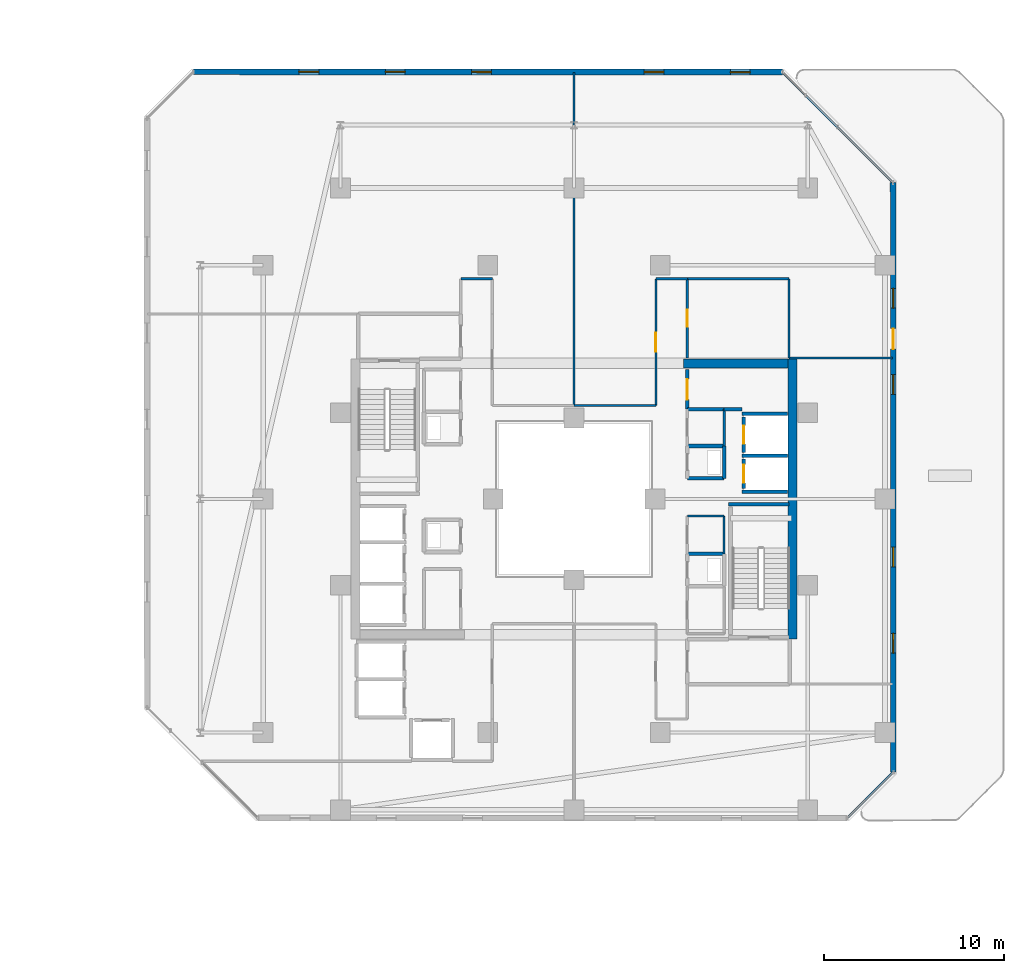
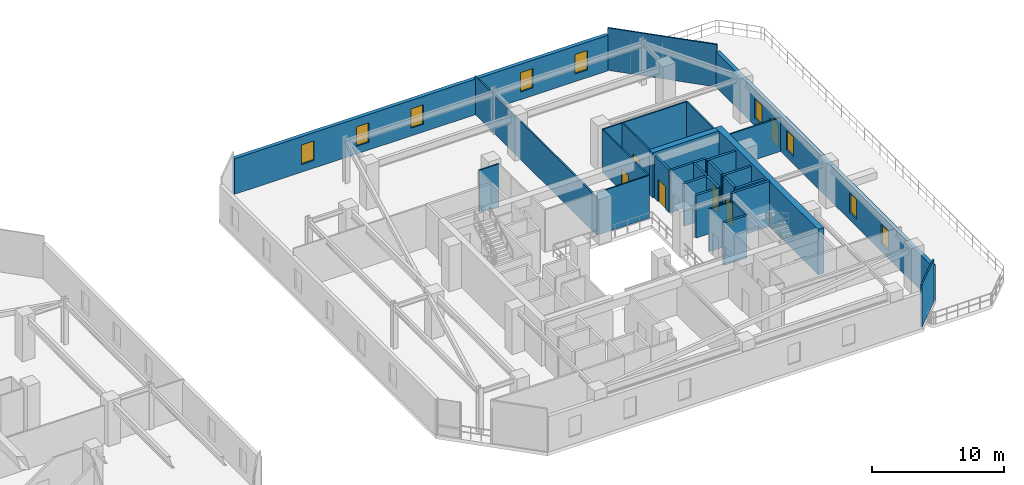
# One storey, part 26 of 33: 31 walls, 9 windows, 6 doors, 15 openings.
"""IFC4 building model written with IfcOpenShell, lengths in metres."""

from ifc_helpers import new_model, si_unit, direction, frame, frame_2d, origin, place, context, subcontext, project, spatial, rectangle, extrude, material, layer, layer_set, type_object, element, fill, save


model = new_model("IFC4")

# Units and contexts
model_context = context("Model", 3, precision=1e-05, world=origin(), true_north=direction((0.0, 1.0)))
body_context = subcontext(model_context, "Body", "Model", "MODEL_VIEW")
ifc_project = project(units=[si_unit("LENGTHUNIT", "METRE"), si_unit("AREAUNIT", "SQUARE_METRE"), si_unit("VOLUMEUNIT", "CUBIC_METRE"), si_unit("PLANEANGLEUNIT", "RADIAN"), si_unit("MASSUNIT", "GRAM", prefix="KILO")], contexts=[model_context])

# Site, building, storey
site_placement = place(None, origin())
site = spatial("IfcSite", under=ifc_project, at=site_placement, CompositionType="ELEMENT")
building_placement = place(site_placement, origin())
building = spatial("IfcBuilding", under=site, at=building_placement, Name="Thornwick Lancets Civic Towers", CompositionType="ELEMENT")
storey_placement = place(building_placement, frame((0.0, 0.0, 174.300048828125)))
storey = spatial("IfcBuildingStorey", under=building, at=storey_placement, Name="L46", CompositionType="ELEMENT", Elevation=174.300048828125)

# Wall, opening, door
ifc_material_1 = material(Name="Concrete blockwork C40/50", Category="masonry")
ifc_layer_1 = layer(ifc_material_1, 0.199951171875, Name="Concrete blockwork C40/50")
ifc_layer_set_1 = layer_set([ifc_layer_1], Name="Concrete blockwork C40/50")
wall_type_1 = type_object("IfcWallType", Name="WALL_COMP_200", PredefinedType="STANDARD", material=ifc_layer_set_1)
wall_1_placement = place(storey_placement, frame((97.949951171875, 29.219970703125, 0.0), z_axis=(0.0, 0.0, 1.0), x_axis=(0.0, -1.0, 0.0)))
wall_1 = element("IfcWall", 1, at=wall_1_placement, inside=storey, type_object=wall_type_1, Name="L46 Hoistway Front Wall FL-B1", PredefinedType="STANDARD", context=body_context, shape_type="SweptSolid", body=[
    extrude(rectangle(XDim=1.639892578125, YDim=0.199951171875, at=frame_2d((0.81982421875, 0.0))), origin(), (0.0, 0.0, 1.0), 3.93994140625),
])
opening_1_placement = place(wall_1_placement, frame((0.31005859375, 0.0, 0.0)))
opening_1 = element("IfcOpeningElement", 2, at=opening_1_placement, cuts=wall_1, Name="Opening LD-FL-B1", PredefinedType="OPENING", context=body_context, shape_type="SweptSolid", body=[
    extrude(rectangle(XDim=1.02001953125, YDim=2.06005859375, at=frame_2d((0.510009765625, 1.030029296875))), frame((0.0, 0.10986328125, 0.0), z_axis=(0.0, -1.0, 0.0), x_axis=(1.0, 0.0, 0.0)), (0.0, 0.0, 1.0), 0.219970703125),
])
ifc_material_2 = material(Name="Brushed bronze stainless steel", Category="steel")
door_type_1 = type_object("IfcDoorType", Name="DOOR_LIFT_SLIDE", OperationType="SLIDING_TO_LEFT", PredefinedType="DOOR", material=ifc_material_2)
door_1_placement = place(opening_1_placement, origin())
door_1 = element("IfcDoor", 3, at=door_1_placement, inside=storey, type_object=door_type_1, Name="L46 Sliding Lift Landing Door LD-FL-B1", OperationType="SLIDING_TO_LEFT", OverallHeight=2.06005859375, OverallWidth=1.02001953125, PredefinedType="DOOR", context=body_context, shape_type="SweptSolid", body=[
    extrude(rectangle(XDim=1.02001953125, YDim=2.06005859375, at=frame_2d((0.510009765625, 1.030029296875))), frame((0.0, 0.02490234375, 0.0), z_axis=(0.0, -1.0, 0.0), x_axis=(1.0, 0.0, 0.0)), (0.0, 0.0, 1.0), 0.050048828125),
])
fill(opening_1, door_1)

wall_2_placement = place(storey_placement, frame((97.949951171875, 31.570068359375, 0.0), z_axis=(0.0, 0.0, 1.0), x_axis=(0.0, -1.0, 0.0)))
wall_2 = element("IfcWall", 4, at=wall_2_placement, inside=storey, type_object=wall_type_1, Name="L46 Hoistway Front Wall PL-BH1", PredefinedType="STANDARD", context=body_context, shape_type="SweptSolid", body=[
    extrude(rectangle(XDim=1.989990234375, YDim=0.199951171875, at=frame_2d((0.9951171875, 0.0))), origin(), (0.0, 0.0, 1.0), 3.93994140625),
])
opening_2_placement = place(wall_2_placement, frame((0.485107421875, 0.0, 0.0)))
opening_2 = element("IfcOpeningElement", 5, at=opening_2_placement, cuts=wall_2, Name="Opening LD-PL-BH1", PredefinedType="OPENING", context=body_context, shape_type="SweptSolid", body=[
    extrude(rectangle(XDim=1.02001953125, YDim=2.06005859375, at=frame_2d((0.510009765625, 1.030029296875))), frame((0.0, 0.10986328125, 0.0), z_axis=(0.0, -1.0, 0.0), x_axis=(1.0, 0.0, 0.0)), (0.0, 0.0, 1.0), 0.219970703125),
])
door_2_placement = place(opening_2_placement, origin())
door_2 = element("IfcDoor", 6, at=door_2_placement, inside=storey, type_object=door_type_1, Name="L46 Sliding Lift Landing Door LD-PL-BH1", OperationType="SLIDING_TO_LEFT", OverallHeight=2.06005859375, OverallWidth=1.02001953125, PredefinedType="DOOR", context=body_context, shape_type="SweptSolid", body=[
    extrude(rectangle(XDim=1.02001953125, YDim=2.06005859375, at=frame_2d((0.510009765625, 1.030029296875))), frame((0.0, 0.02490234375, 0.0), z_axis=(0.0, -1.0, 0.0), x_axis=(1.0, 0.0, 0.0)), (0.0, 0.0, 1.0), 0.050048828125),
])
fill(opening_2, door_2)

# Walls
for number, where, z_axis, x_axis, name in (
    (7, (97.85205078125, 29.39990234375, 0.0), (0.0, 0.0, 1.0), (1.0, 0.0, 0.0), "L46 Hoistway Shaft Wall FL-B1 N"),
    (8, (97.85205078125, 27.39990234375, 0.0), (0.0, 0.0, 1.0), (1.0, 0.0, 0.0), "L46 Hoistway Shaft Wall FL-B1 S"),
    (9, (97.85205078125, 31.75, 0.0), (0.0, 0.0, 1.0), (1.0, 0.0, 0.0), "L46 Hoistway Shaft Wall PL-BH1 N"),
):
    element("IfcWall", number, at=place(storey_placement, frame(where, z_axis=z_axis, x_axis=x_axis)), inside=storey, type_object=wall_type_1, Name=name, PredefinedType="STANDARD", context=body_context, shape_type="SweptSolid", body=[
        extrude(rectangle(XDim=2.535888671875, YDim=0.199951171875, at=frame_2d((1.26806640625, 0.0))), origin(), (0.0, 0.0, 1.0), 3.93994140625),
    ])
wall_3_placement = place(storey_placement, frame((94.800048828125, 28.14990234375, 0.0), z_axis=(0.0, 0.0, 1.0), x_axis=(1.0, 0.0, 0.0)))
element("IfcWall", 10, at=wall_3_placement, inside=storey, type_object=wall_type_1, Name="L46 Partition L46-B-DUCT1 E1", PredefinedType="STANDARD", context=body_context, shape_type="SweptSolid", body=[
    extrude(rectangle(XDim=2.050048828125, YDim=0.199951171875, at=frame_2d((1.02490234375, 0.0))), origin(), (0.0, 0.0, 1.0), 3.93994140625),
])
wall_4_placement = place(storey_placement, frame((96.85009765625, 28.14990234375, 0.0), z_axis=(0.0, 0.0, 1.0), x_axis=(0.0, 1.0, 0.0)))
element("IfcWall", 11, at=wall_4_placement, inside=storey, type_object=wall_type_1, Name="L46 Partition L46-B-DUCT1 E2", PredefinedType="STANDARD", context=body_context, shape_type="SweptSolid", body=[
    extrude(rectangle(XDim=1.800048828125, YDim=0.199951171875, at=frame_2d((0.89990234375, 0.0))), origin(), (0.0, 0.0, 1.0), 3.93994140625),
])
for number, where, z_axis, x_axis, name in (
    (12, (96.85009765625, 29.949951171875, 0.0), (0.0, 0.0, 1.0), (-1.0, 0.0, 0.0), "L46 Partition L46-B-DUCT1 E3"),
    (13, (96.85009765625, 23.949951171875, 0.0), (0.0, 0.0, 1.0), (-1.0, 0.0, 0.0), "L46 Partition L46-B-RISER1 E3"),
):
    element("IfcWall", number, at=place(storey_placement, frame(where, z_axis=z_axis, x_axis=x_axis)), inside=storey, type_object=wall_type_1, Name=name, PredefinedType="STANDARD", context=body_context, shape_type="SweptSolid", body=[
        extrude(rectangle(XDim=2.050048828125, YDim=0.199951171875, at=frame_2d((1.02490234375, 0.0))), origin(), (0.0, 0.0, 1.0), 3.93994140625),
    ])

# Wall, opening, door
wall_5_placement = place(storey_placement, frame((94.800048828125, 32.0, 0.0), z_axis=(0.0, 0.0, 1.0), x_axis=(0.0, 1.0, 0.0)))
wall_5 = element("IfcWall", 14, at=wall_5_placement, inside=storey, type_object=wall_type_1, Name="L46 Partition L46-B-STR2 E1", PredefinedType="STANDARD", context=body_context, shape_type="SweptSolid", body=[
    extrude(rectangle(XDim=2.199951171875, YDim=0.199951171875, at=frame_2d((1.10009765625, 0.0))), origin(), (0.0, 0.0, 1.0), 3.93994140625),
])
opening_3_placement = place(wall_5_placement, frame((0.52490234375, 0.0, 0.0)))
opening_3 = element("IfcOpeningElement", 15, at=opening_3_placement, cuts=wall_5, Name="Opening D-L46-2070", PredefinedType="OPENING", context=body_context, shape_type="SweptSolid", body=[
    extrude(rectangle(XDim=1.14990234375, YDim=2.10009765625, at=frame_2d((0.574951171875, 1.050048828125))), frame((0.0, 0.10986328125, 0.0), z_axis=(0.0, -1.0, 0.0), x_axis=(1.0, 0.0, 0.0)), (0.0, 0.0, 1.0), 0.219970703125),
])
ifc_material_3 = material(Name="Glazed fire-resisting steel", Category="steel")
door_type_2 = type_object("IfcDoorType", Name="DOOR_LOBBY_FD60", OperationType="NOTDEFINED", PredefinedType="DOOR", material=ifc_material_3)
door_3_placement = place(opening_3_placement, origin())
door_3 = element("IfcDoor", 16, at=door_3_placement, inside=storey, type_object=door_type_2, Name="L46 Tower B Core Supplies Store Door", OperationType="SINGLE_SWING_LEFT", OverallHeight=2.10009765625, OverallWidth=1.14990234375, PredefinedType="DOOR", context=body_context, shape_type="SweptSolid", body=[
    extrude(rectangle(XDim=1.14990234375, YDim=2.10009765625, at=frame_2d((0.574951171875, 1.050048828125))), frame((0.0, 0.02490234375, 0.0), z_axis=(0.0, -1.0, 0.0), x_axis=(1.0, 0.0, 0.0)), (0.0, 0.0, 1.0), 0.050048828125),
])
fill(opening_3, door_3)

# Walls
wall_6_placement = place(storey_placement, frame((97.85205078125, 32.0, 0.0), z_axis=(0.0, 0.0, 1.0), x_axis=(-1.0, 0.0, 0.0)))
element("IfcWall", 17, at=wall_6_placement, inside=storey, type_object=wall_type_1, Name="L46 Partition L46-B-STR2 E4", PredefinedType="STANDARD", context=body_context, shape_type="SweptSolid", body=[
    extrude(rectangle(XDim=1.001953125, YDim=0.199951171875, at=frame_2d((0.5009765625, 0.0))), origin(), (0.0, 0.0, 1.0), 3.93994140625),
])
wall_7_placement = place(storey_placement, frame((96.85009765625, 32.0, 0.0), z_axis=(0.0, 0.0, 1.0), x_axis=(-1.0, 0.0, 0.0)))
element("IfcWall", 18, at=wall_7_placement, inside=storey, type_object=wall_type_1, Name="L46 Partition L46-B-STR2 E5", PredefinedType="STANDARD", context=body_context, shape_type="SweptSolid", body=[
    extrude(rectangle(XDim=2.050048828125, YDim=0.199951171875, at=frame_2d((1.02490234375, 0.0))), origin(), (0.0, 0.0, 1.0), 3.93994140625),
])
ifc_material_4 = material(Name="Concrete C50/60", Category="concrete")
ifc_layer_2 = layer(ifc_material_4, 0.5, Name="Concrete C50/60")
ifc_layer_set_2 = layer_set([ifc_layer_2], Name="Concrete C50/60")
wall_type_2 = type_object("IfcWallType", Name="WALL_CORE_500", PredefinedType="SHEAR", material=ifc_layer_set_2)
wall_8_placement = place(storey_placement, frame((100.64990234375, 19.199951171875, 0.0), z_axis=(0.0, 0.0, 1.0), x_axis=(0.0, 1.0, 0.0)))
element("IfcWall", 19, at=wall_8_placement, inside=storey, type_object=wall_type_2, Name="L46 Split Core B1 Shear Wall E", PredefinedType="SHEAR", context=body_context, shape_type="SweptSolid", body=[
    extrude(rectangle(XDim=15.60009765625, YDim=0.5, at=frame_2d((7.800048828125, 0.0))), origin(), (0.0, 0.0, 1.0), 4.199951171875),
])
wall_9_placement = place(storey_placement, frame((94.60009765625, 34.550048828125, 0.0), z_axis=(0.0, 0.0, 1.0), x_axis=(1.0, 0.0, 0.0)))
element("IfcWall", 20, at=wall_9_placement, inside=storey, type_object=wall_type_2, Name="L46 Split Core B1 Shear Wall N", PredefinedType="SHEAR", context=body_context, shape_type="SweptSolid", body=[
    extrude(rectangle(XDim=5.7998046875, YDim=0.5, at=frame_2d((2.89990234375, 0.0))), origin(), (0.0, 0.0, 1.0), 4.199951171875),
])

# Wall, openings, door, windows
ifc_material_5 = material(Name="Insulated buff terracotta rainscreen on concrete C40/50", Category="masonry")
ifc_layer_3 = layer(ifc_material_5, 0.320068359375, Name="Insulated buff terracotta rainscreen on concrete C40/50")
ifc_layer_set_3 = layer_set([ifc_layer_3], Name="Insulated buff terracotta rainscreen on concrete C40/50")
wall_type_3 = type_object("IfcWallType", Name="WALL_EXT_TERRA_320", PredefinedType="STANDARD", material=ifc_layer_set_3)
wall_10_placement = place(storey_placement, frame((106.2646484375, 11.818603515625, 0.0), z_axis=(0.0, 0.0, 1.0), x_axis=(-0.000364968916, 0.999999933399, 0.0)))
wall_10 = element("IfcWall", 21, at=wall_10_placement, inside=storey, type_object=wall_type_3, Name="L46 Tower B Terracotta Facade Wall E2", PredefinedType="STANDARD", context=body_context, shape_type="SweptSolid", body=[
    extrude(rectangle(XDim=32.77783203125, YDim=0.320068359375, at=frame_2d((16.388916015625, 0.0))), origin(), (0.0, 0.0, 1.0), 3.300048828125),
])
opening_4_placement = place(wall_10_placement, frame((23.513916015625, 0.0, 0.0)))
opening_4 = element("IfcOpeningElement", 22, at=opening_4_placement, cuts=wall_10, Name="Opening D-SG-L46-B2", PredefinedType="OPENING", context=body_context, shape_type="SweptSolid", body=[
    extrude(rectangle(XDim=1.14990234375, YDim=2.10009765625, at=frame_2d((0.574951171875, 1.050048828125))), frame((0.0, 0.169921875, 0.0), z_axis=(0.0, -1.0, 0.0), x_axis=(1.0, 0.0, 0.0)), (0.0, 0.0, 1.0), 0.340087890625),
])
opening_5_placement = place(wall_10_placement, frame((6.60009765625, 0.0, 0.719970703125)))
opening_5 = element("IfcOpeningElement", 23, at=opening_5_placement, cuts=wall_10, Name="Opening WL-02", PredefinedType="OPENING", context=body_context, shape_type="SweptSolid", body=[
    extrude(rectangle(XDim=1.10009765625, YDim=1.800048828125, at=frame_2d((0.550048828125, 0.89990234375))), frame((0.0, 0.169921875, 0.0), z_axis=(0.0, -1.0, 0.0), x_axis=(1.0, 0.0, 0.0)), (0.0, 0.0, 1.0), 0.340087890625),
])
opening_6_placement = place(wall_10_placement, frame((11.39990234375, 0.0, 0.719970703125)))
opening_6 = element("IfcOpeningElement", 24, at=opening_6_placement, cuts=wall_10, Name="Opening WL-02", PredefinedType="OPENING", context=body_context, shape_type="SweptSolid", body=[
    extrude(rectangle(XDim=1.10009765625, YDim=1.800048828125, at=frame_2d((0.550048828125, 0.89990234375))), frame((0.0, 0.169921875, 0.0), z_axis=(0.0, -1.0, 0.0), x_axis=(1.0, 0.0, 0.0)), (0.0, 0.0, 1.0), 0.340087890625),
])
opening_7_placement = place(wall_10_placement, frame((21.0, 0.0, 0.719970703125)))
opening_7 = element("IfcOpeningElement", 25, at=opening_7_placement, cuts=wall_10, Name="Opening WL-02", PredefinedType="OPENING", context=body_context, shape_type="SweptSolid", body=[
    extrude(rectangle(XDim=1.10009765625, YDim=1.800048828125, at=frame_2d((0.550048828125, 0.89990234375))), frame((0.0, 0.169921875, 0.0), z_axis=(0.0, -1.0, 0.0), x_axis=(1.0, 0.0, 0.0)), (0.0, 0.0, 1.0), 0.340087890625),
])
opening_8_placement = place(wall_10_placement, frame((25.800048828125, 0.0, 0.719970703125)))
opening_8 = element("IfcOpeningElement", 26, at=opening_8_placement, cuts=wall_10, Name="Opening WL-02", PredefinedType="OPENING", context=body_context, shape_type="SweptSolid", body=[
    extrude(rectangle(XDim=1.10009765625, YDim=1.800048828125, at=frame_2d((0.550048828125, 0.89990234375))), frame((0.0, 0.169921875, 0.0), z_axis=(0.0, -1.0, 0.0), x_axis=(1.0, 0.0, 0.0)), (0.0, 0.0, 1.0), 0.340087890625),
])
ifc_material_6 = material(Name="Thermally broken glazed terrace doorset")
door_type_3 = type_object("IfcDoorType", Name="DOOR_TERRACE_1200", OperationType="NOTDEFINED", PredefinedType="DOOR", material=ifc_material_6)
door_4_placement = place(opening_4_placement, origin())
door_4 = element("IfcDoor", 27, at=door_4_placement, inside=storey, type_object=door_type_3, Name="L46 Tower B Sky-Garden Terrace Door", OperationType="SINGLE_SWING_RIGHT", OverallHeight=2.10009765625, OverallWidth=1.14990234375, PredefinedType="DOOR", context=body_context, shape_type="SweptSolid", body=[
    extrude(rectangle(XDim=1.14990234375, YDim=2.10009765625, at=frame_2d((0.574951171875, 1.050048828125))), frame((0.0, 0.02490234375, 0.0), z_axis=(0.0, -1.0, 0.0), x_axis=(1.0, 0.0, 0.0)), (0.0, 0.0, 1.0), 0.050048828125),
])
fill(opening_4, door_4)
ifc_material_7 = material(Name="Clear low-e double glazing in bronze frame", Category="glass")
window_type = type_object("IfcWindowType", Name="WIN_LANCET_1100", PartitioningType="SINGLE_PANEL", PredefinedType="WINDOW", material=ifc_material_7)
window_1_placement = place(opening_5_placement, origin())
window_1 = element("IfcWindow", 28, at=window_1_placement, inside=storey, type_object=window_type, Name="L46 Tower B Staggered Lancet Window E2-1", OverallHeight=1.800048828125, OverallWidth=1.10009765625, PartitioningType="SINGLE_PANEL", PredefinedType="WINDOW", context=body_context, shape_type="SweptSolid", body=[
    extrude(rectangle(XDim=1.10009765625, YDim=1.800048828125, at=frame_2d((0.550048828125, 0.89990234375))), frame((0.0, 0.030029296875, 0.0), z_axis=(0.0, -1.0, 0.0), x_axis=(1.0, 0.0, 0.0)), (0.0, 0.0, 1.0), 0.06005859375),
])
fill(opening_5, window_1)
window_2_placement = place(opening_6_placement, origin())
window_2 = element("IfcWindow", 29, at=window_2_placement, inside=storey, type_object=window_type, Name="L46 Tower B Staggered Lancet Window E2-2", OverallHeight=1.800048828125, OverallWidth=1.10009765625, PartitioningType="SINGLE_PANEL", PredefinedType="WINDOW", context=body_context, shape_type="SweptSolid", body=[
    extrude(rectangle(XDim=1.10009765625, YDim=1.800048828125, at=frame_2d((0.550048828125, 0.89990234375))), frame((0.0, 0.030029296875, 0.0), z_axis=(0.0, -1.0, 0.0), x_axis=(1.0, 0.0, 0.0)), (0.0, 0.0, 1.0), 0.06005859375),
])
fill(opening_6, window_2)
window_3_placement = place(opening_7_placement, origin())
window_3 = element("IfcWindow", 30, at=window_3_placement, inside=storey, type_object=window_type, Name="L46 Tower B Staggered Lancet Window E2-3", OverallHeight=1.800048828125, OverallWidth=1.10009765625, PartitioningType="SINGLE_PANEL", PredefinedType="WINDOW", context=body_context, shape_type="SweptSolid", body=[
    extrude(rectangle(XDim=1.10009765625, YDim=1.800048828125, at=frame_2d((0.550048828125, 0.89990234375))), frame((0.0, 0.030029296875, 0.0), z_axis=(0.0, -1.0, 0.0), x_axis=(1.0, 0.0, 0.0)), (0.0, 0.0, 1.0), 0.06005859375),
])
fill(opening_7, window_3)
window_4_placement = place(opening_8_placement, origin())
window_4 = element("IfcWindow", 31, at=window_4_placement, inside=storey, type_object=window_type, Name="L46 Tower B Staggered Lancet Window E2-4", OverallHeight=1.800048828125, OverallWidth=1.10009765625, PartitioningType="SINGLE_PANEL", PredefinedType="WINDOW", context=body_context, shape_type="SweptSolid", body=[
    extrude(rectangle(XDim=1.10009765625, YDim=1.800048828125, at=frame_2d((0.550048828125, 0.89990234375))), frame((0.0, 0.030029296875, 0.0), z_axis=(0.0, -1.0, 0.0), x_axis=(1.0, 0.0, 0.0)), (0.0, 0.0, 1.0), 0.06005859375),
])
fill(opening_8, window_4)

# Wall, openings, windows
wall_11_placement = place(storey_placement, frame((100.096435546875, 50.752685546875, 0.0), z_axis=(0.0, 0.0, 1.0), x_axis=(-0.999999933399, 0.000364968916, 0.0)))
wall_11 = element("IfcWall", 32, at=wall_11_placement, inside=storey, type_object=wall_type_3, Name="L46 Tower B Terracotta Facade Wall E4", PredefinedType="STANDARD", context=body_context, shape_type="SweptSolid", body=[
    extrude(rectangle(XDim=32.77783203125, YDim=0.320068359375, at=frame_2d((16.388916015625, 0.0))), origin(), (0.0, 0.0, 1.0), 3.300048828125),
])
opening_9_placement = place(wall_11_placement, frame((1.800048828125, 0.0, 0.719970703125)))
opening_9 = element("IfcOpeningElement", 33, at=opening_9_placement, cuts=wall_11, Name="Opening WL-02", PredefinedType="OPENING", context=body_context, shape_type="SweptSolid", body=[
    extrude(rectangle(XDim=1.10009765625, YDim=1.800048828125, at=frame_2d((0.550048828125, 0.89990234375))), frame((0.0, 0.169921875, 0.0), z_axis=(0.0, -1.0, 0.0), x_axis=(1.0, 0.0, 0.0)), (0.0, 0.0, 1.0), 0.340087890625),
])
opening_10_placement = place(wall_11_placement, frame((6.60009765625, 0.0, 0.719970703125)))
opening_10 = element("IfcOpeningElement", 34, at=opening_10_placement, cuts=wall_11, Name="Opening WL-02", PredefinedType="OPENING", context=body_context, shape_type="SweptSolid", body=[
    extrude(rectangle(XDim=1.10009765625, YDim=1.800048828125, at=frame_2d((0.550048828125, 0.89990234375))), frame((0.0, 0.169921875, 0.0), z_axis=(0.0, -1.0, 0.0), x_axis=(1.0, 0.0, 0.0)), (0.0, 0.0, 1.0), 0.340087890625),
])
opening_11_placement = place(wall_11_placement, frame((16.199951171875, 0.0, 0.719970703125)))
opening_11 = element("IfcOpeningElement", 35, at=opening_11_placement, cuts=wall_11, Name="Opening WL-02", PredefinedType="OPENING", context=body_context, shape_type="SweptSolid", body=[
    extrude(rectangle(XDim=1.10009765625, YDim=1.800048828125, at=frame_2d((0.550048828125, 0.89990234375))), frame((0.0, 0.169921875, 0.0), z_axis=(0.0, -1.0, 0.0), x_axis=(1.0, 0.0, 0.0)), (0.0, 0.0, 1.0), 0.340087890625),
])
opening_12_placement = place(wall_11_placement, frame((21.0, 0.0, 0.719970703125)))
opening_12 = element("IfcOpeningElement", 36, at=opening_12_placement, cuts=wall_11, Name="Opening WL-02", PredefinedType="OPENING", context=body_context, shape_type="SweptSolid", body=[
    extrude(rectangle(XDim=1.10009765625, YDim=1.800048828125, at=frame_2d((0.550048828125, 0.89990234375))), frame((0.0, 0.169921875, 0.0), z_axis=(0.0, -1.0, 0.0), x_axis=(1.0, 0.0, 0.0)), (0.0, 0.0, 1.0), 0.340087890625),
])
opening_13_placement = place(wall_11_placement, frame((25.800048828125, 0.0, 0.719970703125)))
opening_13 = element("IfcOpeningElement", 37, at=opening_13_placement, cuts=wall_11, Name="Opening WL-02", PredefinedType="OPENING", context=body_context, shape_type="SweptSolid", body=[
    extrude(rectangle(XDim=1.10009765625, YDim=1.800048828125, at=frame_2d((0.550048828125, 0.89990234375))), frame((0.0, 0.169921875, 0.0), z_axis=(0.0, -1.0, 0.0), x_axis=(1.0, 0.0, 0.0)), (0.0, 0.0, 1.0), 0.340087890625),
])
window_5_placement = place(opening_9_placement, origin())
window_5 = element("IfcWindow", 38, at=window_5_placement, inside=storey, type_object=window_type, Name="L46 Tower B Staggered Lancet Window E4-1", OverallHeight=1.800048828125, OverallWidth=1.10009765625, PartitioningType="SINGLE_PANEL", PredefinedType="WINDOW", context=body_context, shape_type="SweptSolid", body=[
    extrude(rectangle(XDim=1.10009765625, YDim=1.800048828125, at=frame_2d((0.550048828125, 0.89990234375))), frame((0.0, 0.030029296875, 0.0), z_axis=(0.0, -1.0, 0.0), x_axis=(1.0, 0.0, 0.0)), (0.0, 0.0, 1.0), 0.06005859375),
])
fill(opening_9, window_5)
window_6_placement = place(opening_10_placement, origin())
window_6 = element("IfcWindow", 39, at=window_6_placement, inside=storey, type_object=window_type, Name="L46 Tower B Staggered Lancet Window E4-2", OverallHeight=1.800048828125, OverallWidth=1.10009765625, PartitioningType="SINGLE_PANEL", PredefinedType="WINDOW", context=body_context, shape_type="SweptSolid", body=[
    extrude(rectangle(XDim=1.10009765625, YDim=1.800048828125, at=frame_2d((0.550048828125, 0.89990234375))), frame((0.0, 0.030029296875, 0.0), z_axis=(0.0, -1.0, 0.0), x_axis=(1.0, 0.0, 0.0)), (0.0, 0.0, 1.0), 0.06005859375),
])
fill(opening_10, window_6)
window_7_placement = place(opening_11_placement, origin())
window_7 = element("IfcWindow", 40, at=window_7_placement, inside=storey, type_object=window_type, Name="L46 Tower B Staggered Lancet Window E4-3", OverallHeight=1.800048828125, OverallWidth=1.10009765625, PartitioningType="SINGLE_PANEL", PredefinedType="WINDOW", context=body_context, shape_type="SweptSolid", body=[
    extrude(rectangle(XDim=1.10009765625, YDim=1.800048828125, at=frame_2d((0.550048828125, 0.89990234375))), frame((0.0, 0.030029296875, 0.0), z_axis=(0.0, -1.0, 0.0), x_axis=(1.0, 0.0, 0.0)), (0.0, 0.0, 1.0), 0.06005859375),
])
fill(opening_11, window_7)
window_8_placement = place(opening_12_placement, origin())
window_8 = element("IfcWindow", 41, at=window_8_placement, inside=storey, type_object=window_type, Name="L46 Tower B Staggered Lancet Window E4-4", OverallHeight=1.800048828125, OverallWidth=1.10009765625, PartitioningType="SINGLE_PANEL", PredefinedType="WINDOW", context=body_context, shape_type="SweptSolid", body=[
    extrude(rectangle(XDim=1.10009765625, YDim=1.800048828125, at=frame_2d((0.550048828125, 0.89990234375))), frame((0.0, 0.030029296875, 0.0), z_axis=(0.0, -1.0, 0.0), x_axis=(1.0, 0.0, 0.0)), (0.0, 0.0, 1.0), 0.06005859375),
])
fill(opening_12, window_8)
window_9_placement = place(opening_13_placement, origin())
window_9 = element("IfcWindow", 42, at=window_9_placement, inside=storey, type_object=window_type, Name="L46 Tower B Staggered Lancet Window E4-5", OverallHeight=1.800048828125, OverallWidth=1.10009765625, PartitioningType="SINGLE_PANEL", PredefinedType="WINDOW", context=body_context, shape_type="SweptSolid", body=[
    extrude(rectangle(XDim=1.10009765625, YDim=1.800048828125, at=frame_2d((0.550048828125, 0.89990234375))), frame((0.0, 0.030029296875, 0.0), z_axis=(0.0, -1.0, 0.0), x_axis=(1.0, 0.0, 0.0)), (0.0, 0.0, 1.0), 0.06005859375),
])
fill(opening_13, window_9)

# Walls
ifc_material_8 = material(Name="Acoustic gypsum board partition")
ifc_layer_4 = layer(ifc_material_8, 0.1201171875, Name="Acoustic gypsum board partition")
ifc_layer_set_4 = layer_set([ifc_layer_4], Name="Acoustic gypsum board partition")
wall_type_4 = type_object("IfcWallType", Name="WALL_PART_120", PredefinedType="PARTITIONING", material=ifc_layer_set_4)
wall_12_placement = place(storey_placement, frame((94.800048828125, 26.050048828125, 0.0), z_axis=(0.0, 0.0, 1.0), x_axis=(1.0, 0.0, 0.0)))
element("IfcWall", 43, at=wall_12_placement, inside=storey, type_object=wall_type_4, Name="L46 Partition L46-B-ITR E2", PredefinedType="PARTITIONING", context=body_context, shape_type="SweptSolid", body=[
    extrude(rectangle(XDim=2.050048828125, YDim=0.1201171875, at=frame_2d((1.02490234375, 0.0))), origin(), (0.0, 0.0, 1.0), 3.93994140625),
])
wall_13_placement = place(storey_placement, frame((96.85009765625, 26.050048828125, 0.0), z_axis=(0.0, 0.0, 1.0), x_axis=(0.0, -1.0, 0.0)))
element("IfcWall", 44, at=wall_13_placement, inside=storey, type_object=wall_type_4, Name="L46 Partition L46-B-ITR E3", PredefinedType="PARTITIONING", context=body_context, shape_type="SweptSolid", body=[
    extrude(rectangle(XDim=2.10009765625, YDim=0.1201171875, at=frame_2d((1.050048828125, 0.0))), origin(), (0.0, 0.0, 1.0), 3.93994140625),
])
wall_14_placement = place(storey_placement, frame((100.449951171875, 39.25, 0.0), z_axis=(0.0, 0.0, 1.0), x_axis=(0.0, -1.0, 0.0)))
element("IfcWall", 45, at=wall_14_placement, inside=storey, type_object=wall_type_4, Name="L46 Partition L46-B-RECLAIM-L1 E1", PredefinedType="PARTITIONING", context=body_context, shape_type="SweptSolid", body=[
    extrude(rectangle(XDim=4.39990234375, YDim=0.1201171875, at=frame_2d((2.199951171875, 0.0))), origin(), (0.0, 0.0, 1.0), 3.93994140625),
])

# Wall, opening, door
wall_15_placement = place(storey_placement, frame((94.800048828125, 34.85009765625, 0.0), z_axis=(0.0, 0.0, 1.0), x_axis=(0.0, 1.0, 0.0)))
wall_15 = element("IfcWall", 46, at=wall_15_placement, inside=storey, type_object=wall_type_4, Name="L46 Partition L46-B-RECLAIM-L1 E3", PredefinedType="PARTITIONING", context=body_context, shape_type="SweptSolid", body=[
    extrude(rectangle(XDim=4.39990234375, YDim=0.1201171875, at=frame_2d((2.199951171875, 0.0))), origin(), (0.0, 0.0, 1.0), 3.93994140625),
])
opening_14_placement = place(wall_15_placement, frame((1.72509765625, 0.0, 0.0)))
opening_14 = element("IfcOpeningElement", 47, at=opening_14_placement, cuts=wall_15, Name="Opening D-L46-2078", PredefinedType="OPENING", context=body_context, shape_type="SweptSolid", body=[
    extrude(rectangle(XDim=0.949951171875, YDim=2.10009765625, at=frame_2d((0.47509765625, 1.050048828125))), frame((0.0, 0.070068359375, 0.0), z_axis=(0.0, -1.0, 0.0), x_axis=(1.0, 0.0, 0.0)), (0.0, 0.0, 1.0), 0.14013671875),
])
ifc_material_9 = material(Name="European oak acoustic doorset")
door_type_4 = type_object("IfcDoorType", Name="DOOR_OFFICE_950", OperationType="NOTDEFINED", PredefinedType="DOOR", material=ifc_material_9)
door_5_placement = place(opening_14_placement, origin())
door_5 = element("IfcDoor", 48, at=door_5_placement, inside=storey, type_object=door_type_4, Name="L46 Tower B Policy Archive and Library Door", OperationType="SINGLE_SWING_LEFT", OverallHeight=2.10009765625, OverallWidth=0.949951171875, PredefinedType="DOOR", context=body_context, shape_type="SweptSolid", body=[
    extrude(rectangle(XDim=0.949951171875, YDim=2.10009765625, at=frame_2d((0.47509765625, 1.050048828125))), frame((0.0, 0.02490234375, 0.0), z_axis=(0.0, -1.0, 0.0), x_axis=(1.0, 0.0, 0.0)), (0.0, 0.0, 1.0), 0.050048828125),
])
fill(opening_14, door_5)

# Walls
wall_16_placement = place(storey_placement, frame((94.800048828125, 39.25, 0.0), z_axis=(0.0, 0.0, 1.0), x_axis=(1.0, 0.0, 0.0)))
element("IfcWall", 49, at=wall_16_placement, inside=storey, type_object=wall_type_4, Name="L46 Partition L46-B-RECLAIM-L1 E4", PredefinedType="PARTITIONING", context=body_context, shape_type="SweptSolid", body=[
    extrude(rectangle(XDim=5.64990234375, YDim=0.1201171875, at=frame_2d((2.824951171875, 0.0))), origin(), (0.0, 0.0, 1.0), 3.93994140625),
])
wall_17_placement = place(storey_placement, frame((106.219970703125, 11.774658203125, 0.0), z_axis=(0.0, 0.0, 1.0), x_axis=(-0.707106781187, -0.707106781187, 0.0)))
element("IfcWall", 50, at=wall_17_placement, inside=storey, type_object=wall_type_4, Name="L46 Partition L46-B-W1 E10", PredefinedType="PARTITIONING", context=body_context, shape_type="SweptSolid", body=[
    extrude(rectangle(XDim=3.52783203125, YDim=0.1201171875, at=frame_2d((1.763916015625, 0.0))), origin(), (0.0, 0.0, 1.0), 3.93994140625),
])
wall_18_placement = place(storey_placement, frame((94.800048828125, 39.25, 0.0), z_axis=(0.0, 0.0, 1.0), x_axis=(-1.0, 0.0, 0.0)))
element("IfcWall", 51, at=wall_18_placement, inside=storey, type_object=wall_type_4, Name="L46 Partition L46-B-E1 E3", PredefinedType="PARTITIONING", context=body_context, shape_type="SweptSolid", body=[
    extrude(rectangle(XDim=1.75, YDim=0.1201171875, at=frame_2d((0.875, 0.0))), origin(), (0.0, 0.0, 1.0), 3.93994140625),
])

# Wall, opening, door
wall_19_placement = place(storey_placement, frame((93.050048828125, 39.25, 0.0), z_axis=(0.0, 0.0, 1.0), x_axis=(0.0, -1.0, 0.0)))
wall_19 = element("IfcWall", 52, at=wall_19_placement, inside=storey, type_object=wall_type_4, Name="L46 Partition L46-B-E1 E4", PredefinedType="PARTITIONING", context=body_context, shape_type="SweptSolid", body=[
    extrude(rectangle(XDim=7.050048828125, YDim=0.1201171875, at=frame_2d((3.52490234375, 0.0))), origin(), (0.0, 0.0, 1.0), 3.93994140625),
])
opening_15_placement = place(wall_19_placement, frame((3.0, 0.0, 0.0)))
opening_15 = element("IfcOpeningElement", 53, at=opening_15_placement, cuts=wall_19, Name="Opening D-L46-2081", PredefinedType="OPENING", context=body_context, shape_type="SweptSolid", body=[
    extrude(rectangle(XDim=1.050048828125, YDim=2.10009765625, at=frame_2d((0.52490234375, 1.050048828125))), frame((0.0, 0.070068359375, 0.0), z_axis=(0.0, -1.0, 0.0), x_axis=(1.0, 0.0, 0.0)), (0.0, 0.0, 1.0), 0.14013671875),
])
ifc_material_10 = material(Name="Glazed European oak executive doorset")
door_type_5 = type_object("IfcDoorType", Name="DOOR_OFFICE_1050", OperationType="NOTDEFINED", PredefinedType="DOOR", material=ifc_material_10)
door_6_placement = place(opening_15_placement, origin())
door_6 = element("IfcDoor", 54, at=door_6_placement, inside=storey, type_object=door_type_5, Name="L46 Tower B Secretariat Open Office E1 Door", OperationType="SINGLE_SWING_RIGHT", OverallHeight=2.10009765625, OverallWidth=1.050048828125, PredefinedType="DOOR", context=body_context, shape_type="SweptSolid", body=[
    extrude(rectangle(XDim=1.050048828125, YDim=2.10009765625, at=frame_2d((0.52490234375, 1.050048828125))), frame((0.0, 0.02490234375, 0.0), z_axis=(0.0, -1.0, 0.0), x_axis=(1.0, 0.0, 0.0)), (0.0, 0.0, 1.0), 0.050048828125),
])
fill(opening_15, door_6)

# Walls
wall_20_placement = place(storey_placement, frame((93.050048828125, 32.199951171875, 0.0), z_axis=(0.0, 0.0, 1.0), x_axis=(-1.0, 0.0, 0.0)))
element("IfcWall", 55, at=wall_20_placement, inside=storey, type_object=wall_type_4, Name="L46 Partition L46-B-E1 E5", PredefinedType="PARTITIONING", context=body_context, shape_type="SweptSolid", body=[
    extrude(rectangle(XDim=4.550048828125, YDim=0.1201171875, at=frame_2d((2.27490234375, 0.0))), origin(), (0.0, 0.0, 1.0), 3.93994140625),
])
wall_21_placement = place(storey_placement, frame((88.5, 32.199951171875, 0.0), z_axis=(0.0, 0.0, 1.0), x_axis=(0.0, 1.0, 0.0)))
element("IfcWall", 56, at=wall_21_placement, inside=storey, type_object=wall_type_4, Name="L46 Partition L46-B-E1 E6", PredefinedType="PARTITIONING", context=body_context, shape_type="SweptSolid", body=[
    extrude(rectangle(XDim=18.52001953125, YDim=0.1201171875, at=frame_2d((9.260009765625, 0.0))), origin(), (0.0, 0.0, 1.0), 3.5322265625),
])
wall_22_placement = place(storey_placement, frame((100.12548828125, 50.719970703125, 0.0), z_axis=(0.0, 0.0, 1.0), x_axis=(0.707106781187, -0.707106781187, 0.0)))
element("IfcWall", 57, at=wall_22_placement, inside=storey, type_object=wall_type_4, Name="L46 Partition L46-B-E1 E8", PredefinedType="PARTITIONING", context=body_context, shape_type="SweptSolid", body=[
    extrude(rectangle(XDim=8.618896484375, YDim=0.1201171875, at=frame_2d((4.3095703125, 0.0))), origin(), (0.0, 0.0, 1.0), 3.93994140625),
])
wall_23_placement = place(storey_placement, frame((106.219970703125, 34.85009765625, 0.0), z_axis=(0.0, 0.0, 1.0), x_axis=(-1.0, 0.0, 0.0)))
element("IfcWall", 58, at=wall_23_placement, inside=storey, type_object=wall_type_4, Name="L46 Partition L46-B-E1 E10", PredefinedType="PARTITIONING", context=body_context, shape_type="SweptSolid", body=[
    extrude(rectangle(XDim=5.77001953125, YDim=0.1201171875, at=frame_2d((2.885009765625, 0.0))), origin(), (0.0, 0.0, 1.0), 3.14501953125),
])
wall_24_placement = place(storey_placement, frame((83.949951171875, 39.25, 0.0), z_axis=(0.0, 0.0, 1.0), x_axis=(-1.0, 0.0, 0.0)))
element("IfcWall", 59, at=wall_24_placement, inside=storey, type_object=wall_type_4, Name="L46 Partition L46-B-E3 E3", PredefinedType="PARTITIONING", context=body_context, shape_type="SweptSolid", body=[
    extrude(rectangle(XDim=1.75, YDim=0.1201171875, at=frame_2d((0.875, 0.0))), origin(), (0.0, 0.0, 1.0), 3.93994140625),
])
ifc_material_11 = material(Name="Twin-stud acoustic gypsum board")
ifc_layer_5 = layer(ifc_material_11, 0.14990234375, Name="Twin-stud acoustic gypsum board")
ifc_layer_set_5 = layer_set([ifc_layer_5], Name="Twin-stud acoustic gypsum board")
wall_type_5 = type_object("IfcWallType", Name="WALL_PART_150", PredefinedType="PARTITIONING", material=ifc_layer_set_5)
wall_25_placement = place(storey_placement, frame((96.85009765625, 32.0, 0.0), z_axis=(0.0, 0.0, 1.0), x_axis=(0.0, -1.0, 0.0)))
element("IfcWall", 60, at=wall_25_placement, inside=storey, type_object=wall_type_5, Name="L46 Partition L46-B-AWC E3", PredefinedType="PARTITIONING", context=body_context, shape_type="SweptSolid", body=[
    extrude(rectangle(XDim=2.050048828125, YDim=0.14990234375, at=frame_2d((1.02490234375, 0.0))), origin(), (0.0, 0.0, 1.0), 3.93994140625),
])
ifc_material_12 = material(Name="Concrete C40/50", Category="concrete")
ifc_layer_6 = layer(ifc_material_12, 0.199951171875, Name="Concrete C40/50")
ifc_layer_set_6 = layer_set([ifc_layer_6], Name="Concrete C40/50")
wall_type_6 = type_object("IfcWallType", Name="WALL_SHAFT_200", PredefinedType="SHEAR", material=ifc_layer_set_6)
wall_26_placement = place(storey_placement, frame((97.10009765625, 26.699951171875, 0.0), z_axis=(0.0, 0.0, 1.0), x_axis=(1.0, 0.0, 0.0)))
element("IfcWall", 61, at=wall_26_placement, inside=storey, type_object=wall_type_6, Name="L46 ST-B1 Fire Stair Core Wall FAR", PredefinedType="SHEAR", context=body_context, shape_type="SweptSolid", body=[
    extrude(rectangle(XDim=3.349853515625, YDim=0.199951171875, at=frame_2d((1.6748046875, 0.0))), origin(), (0.0, 0.0, 1.0), 4.199951171875),
])

save(model, "model.ifc")
